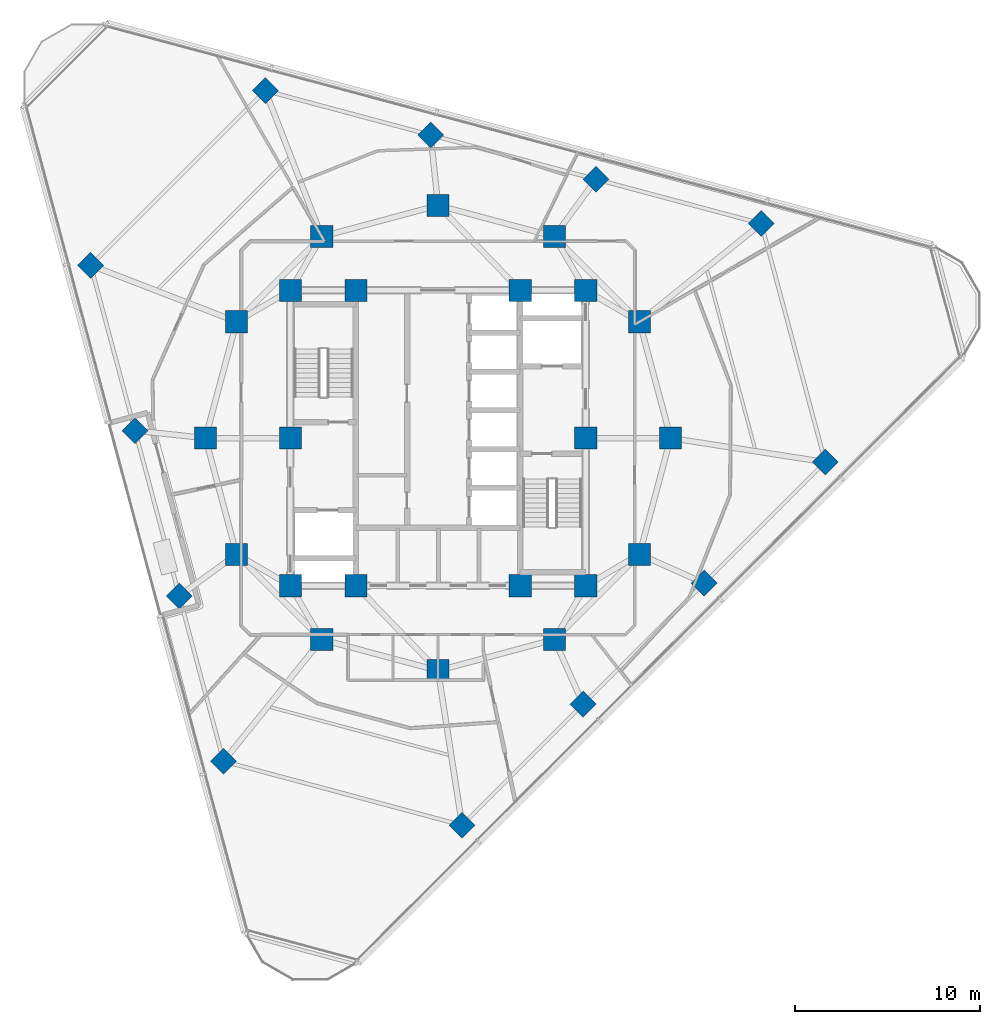
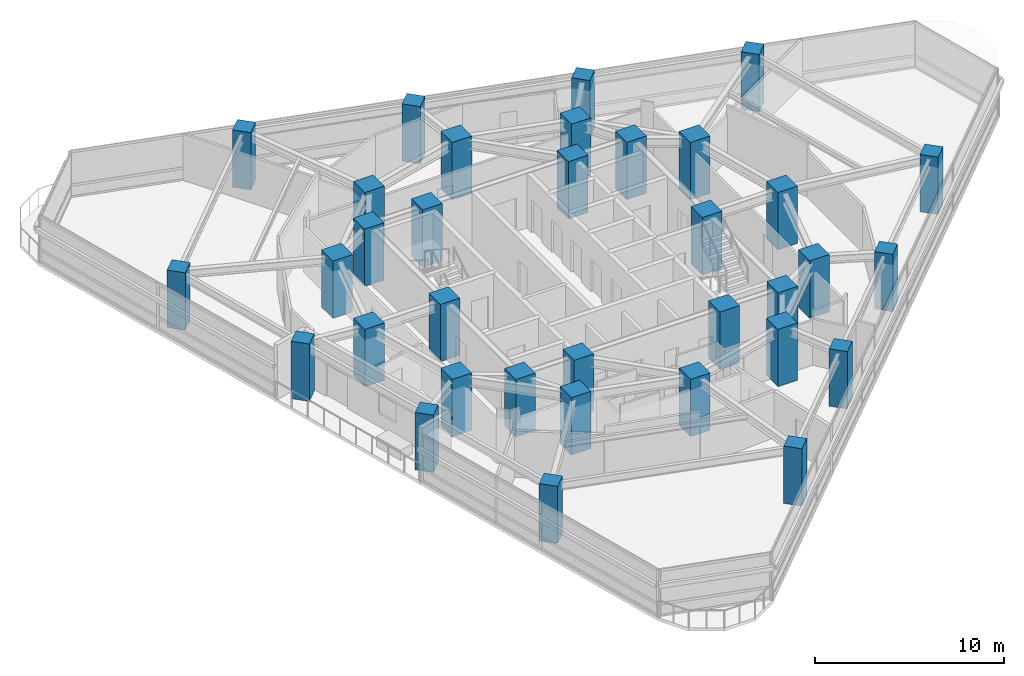
# One storey, part 1 of 14: 34 columns.
"""IFC4 building model written with IfcOpenShell, lengths in metres."""

from ifc_helpers import new_model, si_unit, direction, frame, origin, origin_2d, place, context, subcontext, project, spatial, rectangle, extrude, material, material_profile, profile_set, type_object, element, save


model = new_model("IFC4")

# Units and contexts
model_context = context("Model", 3, precision=1e-05, world=origin(), true_north=direction((0.0, 1.0)))
body_context = subcontext(model_context, "Body", "Model", "MODEL_VIEW")
ifc_project = project(units=[si_unit("LENGTHUNIT", "METRE"), si_unit("AREAUNIT", "SQUARE_METRE"), si_unit("VOLUMEUNIT", "CUBIC_METRE"), si_unit("PLANEANGLEUNIT", "RADIAN"), si_unit("MASSUNIT", "GRAM", prefix="KILO")], contexts=[model_context])

# Site, building, storey
site_placement = place(None, origin())
site = spatial("IfcSite", under=ifc_project, at=site_placement, CompositionType="ELEMENT")
building_placement = place(site_placement, origin())
building = spatial("IfcBuilding", under=site, at=building_placement, Name="Terralouvre Media Tower", CompositionType="ELEMENT")
storey_placement = place(building_placement, frame((0.0, 0.0, 206.39990234375)))
storey = spatial("IfcBuildingStorey", under=building, at=storey_placement, Name="L53", CompositionType="ELEMENT", Elevation=206.39990234375)

# Columns
ifc_material_1 = material(Name="Concrete C50/60", Category="concrete")
ifc_material_profile_1 = material_profile(ifc_material_1, rectangle(XDim=1.0, YDim=1.0, at=origin_2d()), Name="RC 1000x1000")
ifc_profile_set_1 = profile_set([ifc_material_profile_1], Name="Concrete C50/60")
column_type_1 = type_object("IfcColumnType", Name="Structural Column C-RC1000 (RC 1000x1000)", PredefinedType="COLUMN", material=ifc_profile_set_1)
for number, where, z_axis, x_axis, name in (
    (1, (1.3046875, -20.973388671875, 0.0), (0.0, 0.0, 1.0), (0.707106781187, 0.707106781187, 0.0), "L53 Perimeter Mega-Column PC11"),
    (2, (7.86083984375, -14.417236328125, 0.0), (0.0, 0.0, 1.0), (0.707106781187, 0.707106781187, 0.0), "L53 Perimeter Mega-Column PC12"),
    (3, (14.417236328125, -7.86083984375, 0.0), (0.0, 0.0, 1.0), (0.707106781187, 0.707106781187, 0.0), "L53 Perimeter Mega-Column PC13"),
    (4, (20.973388671875, -1.3046875, 0.0), (0.0, 0.0, 1.0), (0.707106781187, 0.707106781187, 0.0), "L53 Perimeter Mega-Column PC14"),
    (5, (17.51123046875, 11.616455078125, 0.0), (0.0, 0.0, 1.0), (0.707106781187, 0.707106781187, 0.0), "L53 Perimeter Mega-Column PC21"),
    (6, (8.55517578125, 14.016357421875, 0.0), (0.0, 0.0, 1.0), (0.707106781187, 0.707106781187, 0.0), "L53 Perimeter Mega-Column PC22"),
    (7, (-0.40087890625, 16.416015625, 0.0), (0.0, 0.0, 1.0), (0.707106781187, 0.707106781187, 0.0), "L53 Perimeter Mega-Column PC23"),
    (8, (-9.35693359375, 18.81591796875, 0.0), (0.0, 0.0, 1.0), (0.707106781187, 0.707106781187, 0.0), "L53 Perimeter Mega-Column PC24"),
    (9, (-18.81591796875, 9.35693359375, 0.0), (0.0, 0.0, 1.0), (0.707106781187, 0.707106781187, 0.0), "L53 Perimeter Mega-Column PC31"),
    (10, (-16.416015625, 0.40087890625, 0.0), (0.0, 0.0, 1.0), (0.707106781187, 0.707106781187, 0.0), "L53 Perimeter Mega-Column PC32"),
    (11, (-14.016357421875, -8.55517578125, 0.0), (0.0, 0.0, 1.0), (0.707106781187, 0.707106781187, 0.0), "L53 Perimeter Mega-Column PC33"),
    (12, (-11.616455078125, -17.51123046875, 0.0), (0.0, 0.0, 1.0), (0.707106781187, 0.707106781187, 0.0), "L53 Perimeter Mega-Column PC34"),
):
    element("IfcColumn", number, at=place(storey_placement, frame(where, z_axis=z_axis, x_axis=x_axis)), inside=storey, type_object=column_type_1, Name=name, PredefinedType="COLUMN", context=body_context, shape_type="SweptSolid", body=[
        extrude(rectangle(XDim=1.0, YDim=1.0, at=origin_2d()), origin(), (0.0, 0.0, 1.0), 3.7001953125),
    ])
ifc_material_2 = material(Name="Concrete C60/75", Category="concrete")
ifc_material_profile_2 = material_profile(ifc_material_2, rectangle(XDim=1.199951171875, YDim=1.199951171875, at=origin_2d()), Name="RC 1200x1200")
ifc_profile_set_2 = profile_set([ifc_material_profile_2], Name="Concrete C60/75")
column_type_2 = type_object("IfcColumnType", Name="Structural Column C-RC1200 (RC 1200x1200)", PredefinedType="COLUMN", material=ifc_profile_set_2)
for number, where, z_axis, x_axis, name in (
    (13, (-8.0, -8.0, 0.0), (0.0, 0.0, 1.0), (1.0, 0.0, 0.0), "L53 Core Pilaster Column CP1"),
    (14, (-4.449951171875, -8.0, 0.0), (0.0, 0.0, 1.0), (1.0, 0.0, 0.0), "L53 Core Pilaster Column CP2"),
    (15, (4.449951171875, -8.0, 0.0), (0.0, 0.0, 1.0), (1.0, 0.0, 0.0), "L53 Core Pilaster Column CP10"),
    (16, (8.0, -8.0, 0.0), (0.0, 0.0, 1.0), (1.0, 0.0, 0.0), "L53 Core Pilaster Column CP3"),
    (17, (8.0, 0.0, 0.0), (0.0, 0.0, 1.0), (1.0, 0.0, 0.0), "L53 Core Pilaster Column CP4"),
    (18, (8.0, 8.0, 0.0), (0.0, 0.0, 1.0), (1.0, 0.0, 0.0), "L53 Core Pilaster Column CP5"),
    (19, (4.449951171875, 8.0, 0.0), (0.0, 0.0, 1.0), (1.0, 0.0, 0.0), "L53 Core Pilaster Column CP9"),
    (20, (-4.449951171875, 8.0, 0.0), (0.0, 0.0, 1.0), (1.0, 0.0, 0.0), "L53 Core Pilaster Column CP6"),
    (21, (-8.0, 8.0, 0.0), (0.0, 0.0, 1.0), (1.0, 0.0, 0.0), "L53 Core Pilaster Column CP7"),
    (22, (-8.0, 0.0, 0.0), (0.0, 0.0, 1.0), (1.0, 0.0, 0.0), "L53 Core Pilaster Column CP8"),
    (23, (12.60009765625, 0.0, 0.0), (0.0, 0.0, 1.0), (1.0, 0.0, 0.0), "L53 Mega-Frame Column MC01"),
    (24, (10.911865234375, 6.300048828125, 0.0), (0.0, 0.0, 1.0), (1.0, 0.0, 0.0), "L53 Mega-Frame Column MC02"),
    (25, (6.300048828125, 10.911865234375, 0.0), (0.0, 0.0, 1.0), (1.0, 0.0, 0.0), "L53 Mega-Frame Column MC03"),
    (26, (0.0, 12.60009765625, 0.0), (0.0, 0.0, 1.0), (1.0, 0.0, 0.0), "L53 Mega-Frame Column MC04"),
    (27, (-6.300048828125, 10.911865234375, 0.0), (0.0, 0.0, 1.0), (1.0, 0.0, 0.0), "L53 Mega-Frame Column MC05"),
    (28, (-10.911865234375, 6.300048828125, 0.0), (0.0, 0.0, 1.0), (1.0, 0.0, 0.0), "L53 Mega-Frame Column MC06"),
    (29, (-12.60009765625, 0.0, 0.0), (0.0, 0.0, 1.0), (1.0, 0.0, 0.0), "L53 Mega-Frame Column MC07"),
    (30, (-10.911865234375, -6.300048828125, 0.0), (0.0, 0.0, 1.0), (1.0, 0.0, 0.0), "L53 Mega-Frame Column MC08"),
    (31, (-6.300048828125, -10.911865234375, 0.0), (0.0, 0.0, 1.0), (1.0, 0.0, 0.0), "L53 Mega-Frame Column MC09"),
    (32, (0.0, -12.60009765625, 0.0), (0.0, 0.0, 1.0), (1.0, 0.0, 0.0), "L53 Mega-Frame Column MC10"),
    (33, (6.300048828125, -10.911865234375, 0.0), (0.0, 0.0, 1.0), (1.0, 0.0, 0.0), "L53 Mega-Frame Column MC11"),
    (34, (10.911865234375, -6.300048828125, 0.0), (0.0, 0.0, 1.0), (1.0, 0.0, 0.0), "L53 Mega-Frame Column MC12"),
):
    element("IfcColumn", number, at=place(storey_placement, frame(where, z_axis=z_axis, x_axis=x_axis)), inside=storey, type_object=column_type_2, Name=name, PredefinedType="COLUMN", context=body_context, shape_type="SweptSolid", body=[
        extrude(rectangle(XDim=1.199951171875, YDim=1.199951171875, at=origin_2d()), origin(), (0.0, 0.0, 1.0), 3.7001953125),
    ])

save(model, "model.ifc")
